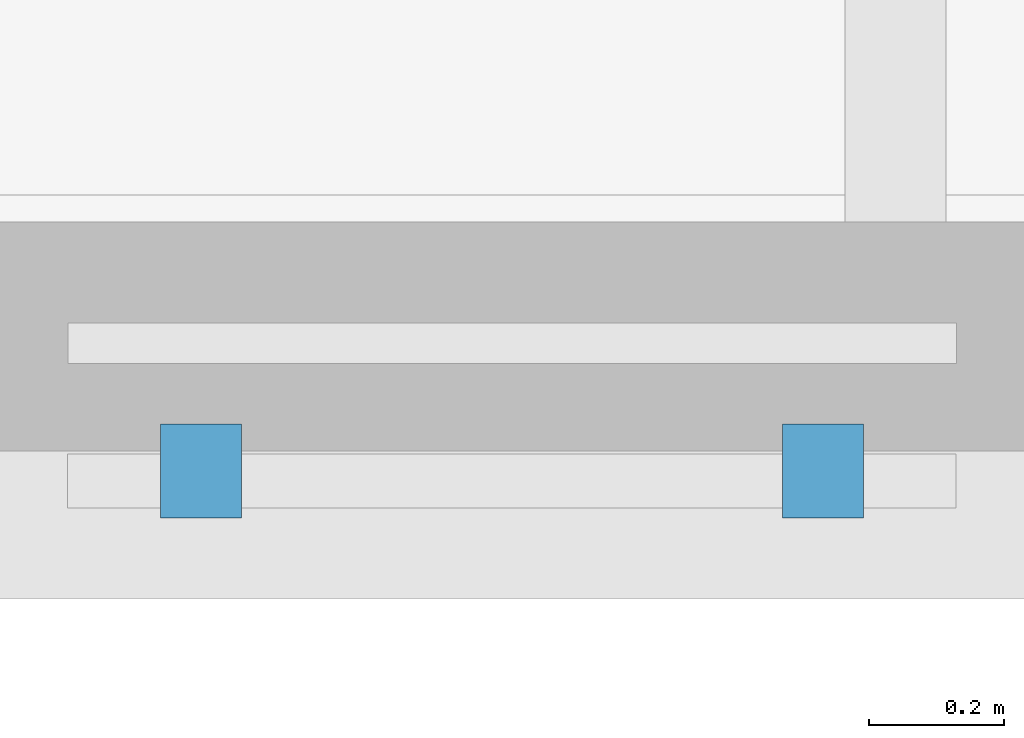
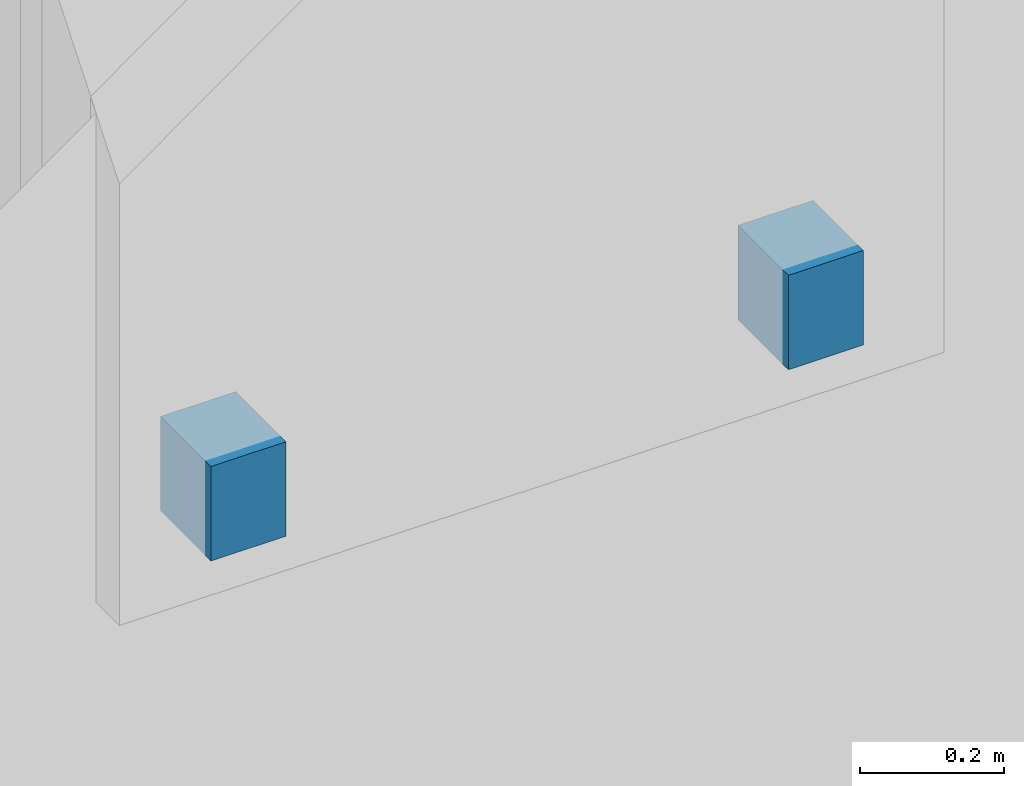
# One storey, part 128 of 146: 2 discrete accessories.
"""IFC4 building model written with IfcOpenShell, lengths in metres."""

import ifcopenshell
import ifcopenshell.guid

model = None  # the IFC model being written
_history = None  # IfcOwnerHistory: only IFC2X3 demands one
_inside = {}  # id of a spatial element -> (the spatial element, [elements in it])
_under = {}  # id of a project, library or spatial element -> (it, [spatial elements below it])
_declared = {}  # id of a project -> (the project, [libraries it declares])
_typed = {}  # id of a type object -> (the type object, [elements of that type])
_made_of = {}  # id of a material, layer set ... -> (it, [elements and type objects made of it])


def new_model(schema):
    """Start an empty IFC model of exactly this schema.

    Asked for "IFC4X3", IfcOpenShell would pick the latest addendum, in which some entities
    have other attributes; the version numbers below select the first issue.
    IFC2X3 requires an IfcOwnerHistory on every rooted entity: one is made here for all.
    """
    global model, _history
    if schema == "IFC4X3":
        model = ifcopenshell.file(schema_version=(4, 3, 0, 0))
    else:
        model = ifcopenshell.file(schema=schema)
    _inside.clear()
    _under.clear()
    _declared.clear()
    _typed.clear()
    _made_of.clear()
    _history = None
    if model.schema == "IFC2X3":
        org = make("IfcOrganization", Name="unknown")
        user = make(
            "IfcPersonAndOrganization",
            ThePerson=make("IfcPerson", FamilyName="unknown"),
            TheOrganization=org,
        )
        app = make(
            "IfcApplication",
            ApplicationDeveloper=org,
            Version="unknown",
            ApplicationFullName="unknown",
            ApplicationIdentifier="unknown",
        )
        _history = make(
            "IfcOwnerHistory",
            OwningUser=user,
            OwningApplication=app,
            ChangeAction="ADDED",
            CreationDate=0,
        )
    return model


def make(cls, **values):
    """One entity of the class cls with the attributes given. An attribute that is None is left unset."""
    return model.create_entity(
        cls, **{name: value for name, value in values.items() if value is not None}
    )


def rooted(cls, **values):
    """An entity with a GlobalId (a new one), such as an element, a storey or a relation."""
    return make(cls, GlobalId=ifcopenshell.guid.new(), OwnerHistory=_history, **values)


def si_unit(unit_type, name, prefix=None):
    """IfcSIUnit, for example si_unit("LENGTHUNIT", "METRE", prefix="MILLI")."""
    return make("IfcSIUnit", UnitType=unit_type, Prefix=prefix, Name=name)


def assignment(units):
    """IfcUnitAssignment: the units of a project."""
    return None if units is None else make("IfcUnitAssignment", Units=units)


def point(xyz):
    """IfcCartesianPoint."""
    return None if xyz is None else make("IfcCartesianPoint", Coordinates=xyz)


def direction(xyz):
    """IfcDirection."""
    return None if xyz is None else make("IfcDirection", DirectionRatios=xyz)


def frame(location, z_axis=None, x_axis=None):
    """IfcAxis2Placement3D, a coordinate frame: its origin and axes. An axis left out is left unset."""
    return make(
        "IfcAxis2Placement3D",
        Location=point(location),
        Axis=direction(z_axis),
        RefDirection=direction(x_axis),
    )


def frame_2d(location, x_axis=None):
    """IfcAxis2Placement2D, a coordinate frame in the plane: its origin and x axis."""
    return make(
        "IfcAxis2Placement2D", Location=point(location), RefDirection=direction(x_axis)
    )


def origin():
    """The frame at (0, 0, 0) with its axes left unset."""
    return frame((0.0, 0.0, 0.0))


def origin_2d():
    """The frame at (0, 0) in the plane with its x axis left unset."""
    return frame_2d((0.0, 0.0))


def place(relative_to, where):
    """IfcLocalPlacement: puts the frame where relative to a parent placement (None: the world)."""
    return make(
        "IfcLocalPlacement", PlacementRelTo=relative_to, RelativePlacement=where
    )


def context(
    kind, dimensions, precision=None, world=None, true_north=None, identifier=None
):
    """IfcGeometricRepresentationContext, for example the 3D "Model" context."""
    return make(
        "IfcGeometricRepresentationContext",
        ContextIdentifier=identifier,
        ContextType=kind,
        CoordinateSpaceDimension=dimensions,
        Precision=precision,
        WorldCoordinateSystem=world,
        TrueNorth=true_north,
    )


def subcontext(parent, identifier, kind, view, scale=None):
    """IfcGeometricRepresentationSubContext, for example "Body" below "Model"."""
    return make(
        "IfcGeometricRepresentationSubContext",
        ContextIdentifier=identifier,
        ContextType=kind,
        ParentContext=parent,
        TargetScale=scale,
        TargetView=view,
    )


def project(units=None, contexts=None):
    """IfcProject with its units and contexts."""
    return rooted(
        "IfcProject",
        Name="project",
        RepresentationContexts=contexts,
        UnitsInContext=assignment(units),
    )


def spatial(cls, under=None, at=None, **own):
    """A site, building, storey or space (cls), placed at a placement, below another one or the project."""
    s = rooted(cls, ObjectPlacement=at, **own)
    if under is not None:
        _under.setdefault(under.id(), (under, []))[1].append(s)
    return s


def profile(cls, at=None, kind="AREA", **sizes):
    """A parametric profile (cls). Its sizes go by their IFC names, for example OverallWidth=200.0."""
    return make(cls, ProfileType=kind, Position=at, **sizes)


def rectangle(**sizes):
    """IfcRectangleProfileDef."""
    return profile("IfcRectangleProfileDef", **sizes)


def extrude(swept, where, along, depth):
    """IfcExtrudedAreaSolid: the profile swept, set in the frame where, extruded along a direction by depth."""
    return make(
        "IfcExtrudedAreaSolid",
        SweptArea=swept,
        Position=where,
        ExtrudedDirection=direction(along),
        Depth=depth,
    )


def shape(context_of_items, identifier, shape_type, items):
    """IfcShapeRepresentation: the items that make up one representation, for example the "Body"."""
    return make(
        "IfcShapeRepresentation",
        ContextOfItems=context_of_items,
        RepresentationIdentifier=identifier,
        RepresentationType=shape_type,
        Items=items,
    )


def material(Name=None, Category=None):
    """IfcMaterial."""
    return make("IfcMaterial", Name=Name, Category=Category)


def made_of(thing, what):
    """Note that an element or type object is made of a material, layer set ...; save() writes the relation."""
    if what is not None:
        _made_of.setdefault(what.id(), (what, []))[1].append(thing)
    return thing


def type_object(cls, material=None, **own):
    """A type object (cls), such as IfcWallType, which elements share."""
    return made_of(rooted(cls, **own), material)


def element(
    cls,
    number,
    at=None,
    inside=None,
    cuts=None,
    type_object=None,
    material=None,
    context=None,
    identifier="Body",
    shape_type=None,
    held_by="IfcProductDefinitionShape",
    body=None,
    shapes=None,
    **own,
):
    """One element of the class cls, such as IfcWall. Its Tag is "e" and its number.

    at: its placement. inside: the storey or other place that contains it. cuts: it is an
    opening in that element (IfcRelVoidsElement). A single representation is given by context,
    identifier, shape_type and body (its items); several are given by shapes. held_by: the class
    of the entity that holds the representations. save() writes the other relations.
    """
    e = rooted(cls, Tag="e%d" % number, ObjectPlacement=at, **own)
    if body is not None:
        shapes = [shape(context, identifier, shape_type, body)]
    if shapes is not None:
        e.Representation = make(held_by, Representations=shapes)
    if inside is not None:
        _inside.setdefault(inside.id(), (inside, []))[1].append(e)
    if cuts is not None:
        rooted(
            "IfcRelVoidsElement", RelatingBuildingElement=cuts, RelatedOpeningElement=e
        )
    if type_object is not None:
        _typed.setdefault(type_object.id(), (type_object, []))[1].append(e)
    return made_of(e, material)


def aggregate(whole, parts):
    """IfcRelAggregates: a whole, such as a stair, and the parts it consists of."""
    return rooted("IfcRelAggregates", RelatingObject=whole, RelatedObjects=parts)


def save(model, path):
    """Write the relations noted so far, then the file.

    IfcRelAggregates (storeys below a building ...), IfcRelContainedInSpatialStructure (elements
    in a storey), IfcRelDefinesByType, IfcRelAssociatesMaterial and IfcRelDeclares: one each for
    every whole, place, type object, material and project.
    """
    for whole, parts in _under.values():
        aggregate(whole, parts)
    for where, things in _inside.values():
        rooted(
            "IfcRelContainedInSpatialStructure",
            RelatedElements=things,
            RelatingStructure=where,
        )
    for kind, things in _typed.values():
        rooted("IfcRelDefinesByType", RelatedObjects=things, RelatingType=kind)
    for what, things in _made_of.values():
        rooted("IfcRelAssociatesMaterial", RelatedObjects=things, RelatingMaterial=what)
    for by, libraries in _declared.values():
        rooted("IfcRelDeclares", RelatingContext=by, RelatedDefinitions=libraries)
    model.write(path)


model = new_model("IFC4")

# Units and contexts
model_context = context("Model", 3, precision=1e-05, world=origin(), true_north=direction((0.0, 1.0)))
body_context = subcontext(model_context, "Body", "Model", "MODEL_VIEW")
ifc_project = project(units=[si_unit("LENGTHUNIT", "METRE"), si_unit("AREAUNIT", "SQUARE_METRE"), si_unit("VOLUMEUNIT", "CUBIC_METRE"), si_unit("PLANEANGLEUNIT", "RADIAN"), si_unit("MASSUNIT", "GRAM", prefix="KILO")], contexts=[model_context])

# Site, building, storey
site_placement = place(None, origin())
site = spatial("IfcSite", under=ifc_project, at=site_placement, CompositionType="ELEMENT")
building_placement = place(site_placement, origin())
building = spatial("IfcBuilding", under=site, at=building_placement, Name="Hawrajan Terrace Health Centre", CompositionType="ELEMENT")
storey_placement = place(building_placement, frame((0.0, 0.0, 4.5)))
storey = spatial("IfcBuildingStorey", under=building, at=storey_placement, Name="L01", CompositionType="ELEMENT", Elevation=4.5)

# Discrete accessories
ifc_material = material(Name="Steel S355", Category="steel")
discrete_accessory_type = type_object("IfcDiscreteAccessoryType", Name="FacadeBracket_S355", PredefinedType="BRACKET", material=ifc_material)
for number, where, z_axis, x_axis, name in (
    (1, (101.968017578125, 4.010009765625, 1.56982421875), (0.0, 0.0, 1.0), (1.0, 0.0, 0.0), "Roshan support bracket BRK-L01-096-1"),
    (2, (102.89208984375, 4.010009765625, 1.56982421875), (0.0, 0.0, 1.0), (1.0, 0.0, 0.0), "Roshan support bracket BRK-L01-096-2"),
):
    element("IfcDiscreteAccessory", number, at=place(storey_placement, frame(where, z_axis=z_axis, x_axis=x_axis)), inside=storey, type_object=discrete_accessory_type, Name=name, PredefinedType="BRACKET", context=body_context, shape_type="SweptSolid", body=[
        extrude(rectangle(XDim=0.1201171875, YDim=0.139892578125, at=origin_2d()), origin(), (0.0, 0.0, 1.0), 0.159912109375),
    ])

save(model, "model.ifc")
